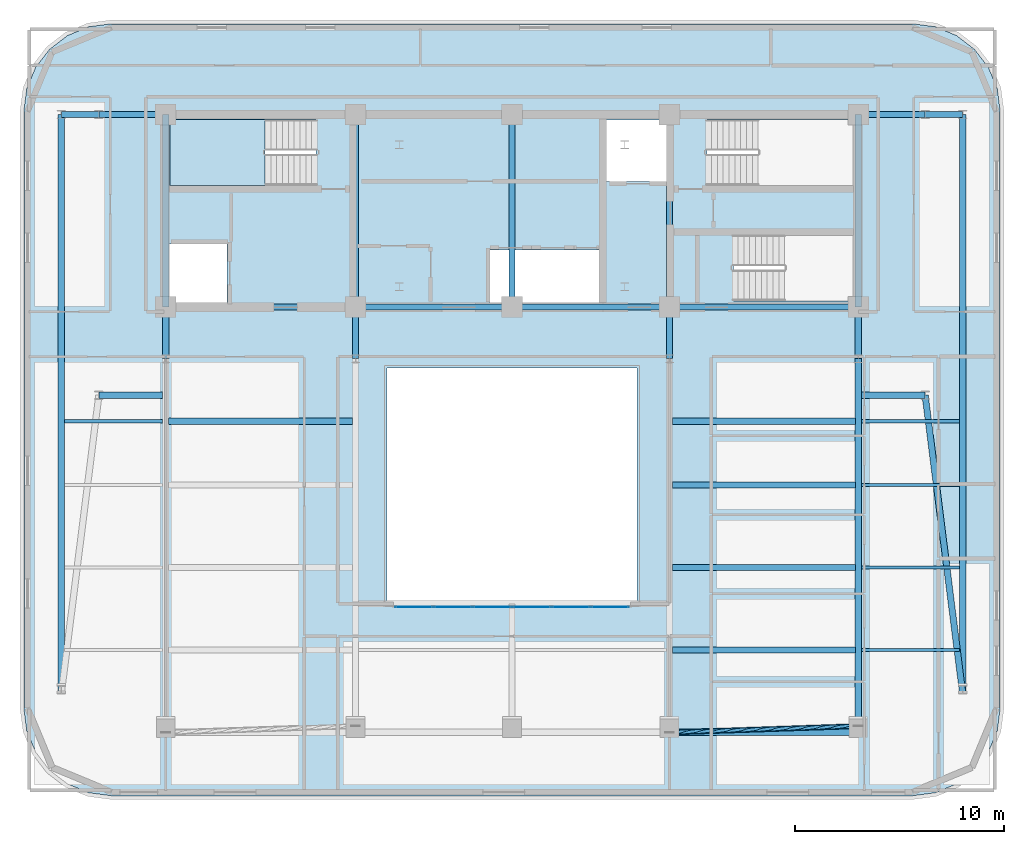
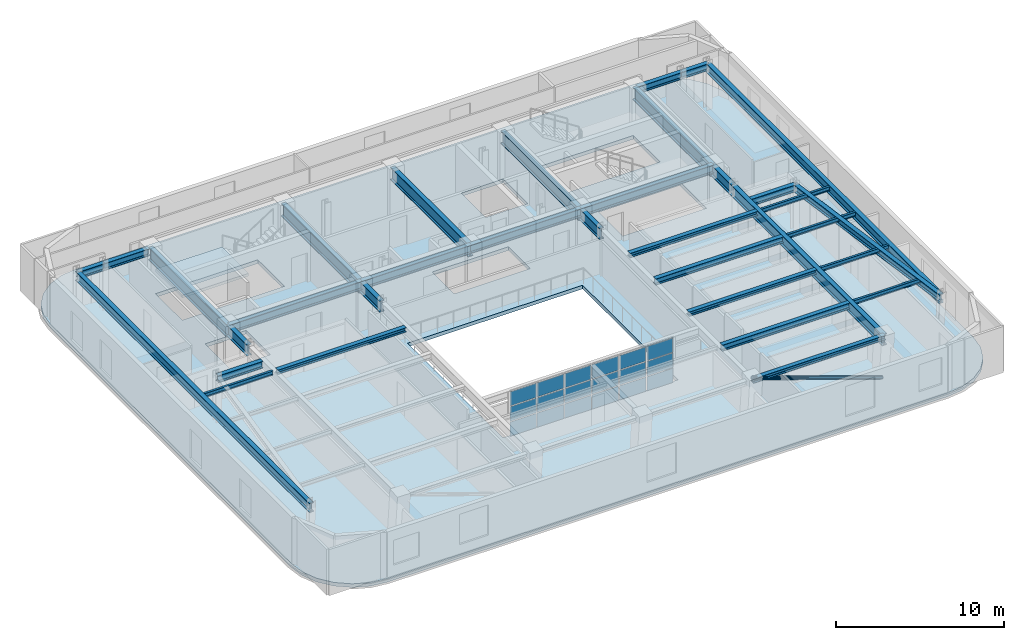
# One storey, part 3 of 13: 34 beams, 18 plates, 2 slabs, 1 member, 2 elements without a shape of their own.
"""IFC4 building model written with IfcOpenShell, lengths in metres."""

import ifcopenshell
import ifcopenshell.guid

model = None  # the IFC model being written
_history = None  # IfcOwnerHistory: only IFC2X3 demands one
_inside = {}  # id of a spatial element -> (the spatial element, [elements in it])
_under = {}  # id of a project, library or spatial element -> (it, [spatial elements below it])
_declared = {}  # id of a project -> (the project, [libraries it declares])
_typed = {}  # id of a type object -> (the type object, [elements of that type])
_made_of = {}  # id of a material, layer set ... -> (it, [elements and type objects made of it])


def new_model(schema):
    """Start an empty IFC model of exactly this schema.

    Asked for "IFC4X3", IfcOpenShell would pick the latest addendum, in which some entities
    have other attributes; the version numbers below select the first issue.
    IFC2X3 requires an IfcOwnerHistory on every rooted entity: one is made here for all.
    """
    global model, _history
    if schema == "IFC4X3":
        model = ifcopenshell.file(schema_version=(4, 3, 0, 0))
    else:
        model = ifcopenshell.file(schema=schema)
    _inside.clear()
    _under.clear()
    _declared.clear()
    _typed.clear()
    _made_of.clear()
    _history = None
    if model.schema == "IFC2X3":
        org = make("IfcOrganization", Name="unknown")
        user = make(
            "IfcPersonAndOrganization",
            ThePerson=make("IfcPerson", FamilyName="unknown"),
            TheOrganization=org,
        )
        app = make(
            "IfcApplication",
            ApplicationDeveloper=org,
            Version="unknown",
            ApplicationFullName="unknown",
            ApplicationIdentifier="unknown",
        )
        _history = make(
            "IfcOwnerHistory",
            OwningUser=user,
            OwningApplication=app,
            ChangeAction="ADDED",
            CreationDate=0,
        )
    return model


def make(cls, **values):
    """One entity of the class cls with the attributes given. An attribute that is None is left unset."""
    return model.create_entity(
        cls, **{name: value for name, value in values.items() if value is not None}
    )


def rooted(cls, **values):
    """An entity with a GlobalId (a new one), such as an element, a storey or a relation."""
    return make(cls, GlobalId=ifcopenshell.guid.new(), OwnerHistory=_history, **values)


def si_unit(unit_type, name, prefix=None):
    """IfcSIUnit, for example si_unit("LENGTHUNIT", "METRE", prefix="MILLI")."""
    return make("IfcSIUnit", UnitType=unit_type, Prefix=prefix, Name=name)


def assignment(units):
    """IfcUnitAssignment: the units of a project."""
    return None if units is None else make("IfcUnitAssignment", Units=units)


def point(xyz):
    """IfcCartesianPoint."""
    return None if xyz is None else make("IfcCartesianPoint", Coordinates=xyz)


def direction(xyz):
    """IfcDirection."""
    return None if xyz is None else make("IfcDirection", DirectionRatios=xyz)


def frame(location, z_axis=None, x_axis=None):
    """IfcAxis2Placement3D, a coordinate frame: its origin and axes. An axis left out is left unset."""
    return make(
        "IfcAxis2Placement3D",
        Location=point(location),
        Axis=direction(z_axis),
        RefDirection=direction(x_axis),
    )


def frame_2d(location, x_axis=None):
    """IfcAxis2Placement2D, a coordinate frame in the plane: its origin and x axis."""
    return make(
        "IfcAxis2Placement2D", Location=point(location), RefDirection=direction(x_axis)
    )


def origin():
    """The frame at (0, 0, 0) with its axes left unset."""
    return frame((0.0, 0.0, 0.0))


def origin_2d():
    """The frame at (0, 0) in the plane with its x axis left unset."""
    return frame_2d((0.0, 0.0))


def place(relative_to, where):
    """IfcLocalPlacement: puts the frame where relative to a parent placement (None: the world)."""
    return make(
        "IfcLocalPlacement", PlacementRelTo=relative_to, RelativePlacement=where
    )


def context(
    kind, dimensions, precision=None, world=None, true_north=None, identifier=None
):
    """IfcGeometricRepresentationContext, for example the 3D "Model" context."""
    return make(
        "IfcGeometricRepresentationContext",
        ContextIdentifier=identifier,
        ContextType=kind,
        CoordinateSpaceDimension=dimensions,
        Precision=precision,
        WorldCoordinateSystem=world,
        TrueNorth=true_north,
    )


def subcontext(parent, identifier, kind, view, scale=None):
    """IfcGeometricRepresentationSubContext, for example "Body" below "Model"."""
    return make(
        "IfcGeometricRepresentationSubContext",
        ContextIdentifier=identifier,
        ContextType=kind,
        ParentContext=parent,
        TargetScale=scale,
        TargetView=view,
    )


def project(units=None, contexts=None):
    """IfcProject with its units and contexts."""
    return rooted(
        "IfcProject",
        Name="project",
        RepresentationContexts=contexts,
        UnitsInContext=assignment(units),
    )


def spatial(cls, under=None, at=None, **own):
    """A site, building, storey or space (cls), placed at a placement, below another one or the project."""
    s = rooted(cls, ObjectPlacement=at, **own)
    if under is not None:
        _under.setdefault(under.id(), (under, []))[1].append(s)
    return s


def polyline(points):
    """IfcPolyline through the points."""
    return make("IfcPolyline", Points=[point(p) for p in points])


def profile(cls, at=None, kind="AREA", **sizes):
    """A parametric profile (cls). Its sizes go by their IFC names, for example OverallWidth=200.0."""
    return make(cls, ProfileType=kind, Position=at, **sizes)


def rectangle(**sizes):
    """IfcRectangleProfileDef."""
    return profile("IfcRectangleProfileDef", **sizes)


def hollow_circle(**sizes):
    """IfcCircleHollowProfileDef."""
    return profile("IfcCircleHollowProfileDef", **sizes)


def i_section(**sizes):
    """IfcIShapeProfileDef."""
    return profile("IfcIShapeProfileDef", **sizes)


def outline(outer, holes=None, kind="AREA"):
    """IfcArbitraryClosedProfileDef: a profile drawn as a closed curve; with holes, ...WithVoids."""
    if holes is None:
        return make("IfcArbitraryClosedProfileDef", ProfileType=kind, OuterCurve=outer)
    return make(
        "IfcArbitraryProfileDefWithVoids",
        ProfileType=kind,
        OuterCurve=outer,
        InnerCurves=holes,
    )


def extrude(swept, where, along, depth):
    """IfcExtrudedAreaSolid: the profile swept, set in the frame where, extruded along a direction by depth."""
    return make(
        "IfcExtrudedAreaSolid",
        SweptArea=swept,
        Position=where,
        ExtrudedDirection=direction(along),
        Depth=depth,
    )


def shape(context_of_items, identifier, shape_type, items):
    """IfcShapeRepresentation: the items that make up one representation, for example the "Body"."""
    return make(
        "IfcShapeRepresentation",
        ContextOfItems=context_of_items,
        RepresentationIdentifier=identifier,
        RepresentationType=shape_type,
        Items=items,
    )


def material(Name=None, Category=None):
    """IfcMaterial."""
    return make("IfcMaterial", Name=Name, Category=Category)


def layer(
    of_material, thickness, ventilated=None, Name=None, Category=None, Priority=None
):
    """IfcMaterialLayer: one layer of a wall or slab, of a material (None: an air gap)."""
    return make(
        "IfcMaterialLayer",
        Material=of_material,
        LayerThickness=thickness,
        IsVentilated=ventilated,
        Name=Name,
        Category=Category,
        Priority=Priority,
    )


def layer_set(layers, Name=None):
    """IfcMaterialLayerSet."""
    return make("IfcMaterialLayerSet", MaterialLayers=layers, LayerSetName=Name)


def material_profile(
    of_material, cross_section, Name=None, Category=None, Priority=None
):
    """IfcMaterialProfile: a cross section and its material."""
    return make(
        "IfcMaterialProfile",
        Name=Name,
        Material=of_material,
        Profile=cross_section,
        Priority=Priority,
        Category=Category,
    )


def profile_set(profiles, Name=None, composite=None):
    """IfcMaterialProfileSet."""
    return make(
        "IfcMaterialProfileSet",
        Name=Name,
        MaterialProfiles=profiles,
        CompositeProfile=composite,
    )


def made_of(thing, what):
    """Note that an element or type object is made of a material, layer set ...; save() writes the relation."""
    if what is not None:
        _made_of.setdefault(what.id(), (what, []))[1].append(thing)
    return thing


def type_object(cls, material=None, **own):
    """A type object (cls), such as IfcWallType, which elements share."""
    return made_of(rooted(cls, **own), material)


def element(
    cls,
    number,
    at=None,
    inside=None,
    cuts=None,
    type_object=None,
    material=None,
    context=None,
    identifier="Body",
    shape_type=None,
    held_by="IfcProductDefinitionShape",
    body=None,
    shapes=None,
    **own,
):
    """One element of the class cls, such as IfcWall. Its Tag is "e" and its number.

    at: its placement. inside: the storey or other place that contains it. cuts: it is an
    opening in that element (IfcRelVoidsElement). A single representation is given by context,
    identifier, shape_type and body (its items); several are given by shapes. held_by: the class
    of the entity that holds the representations. save() writes the other relations.
    """
    e = rooted(cls, Tag="e%d" % number, ObjectPlacement=at, **own)
    if body is not None:
        shapes = [shape(context, identifier, shape_type, body)]
    if shapes is not None:
        e.Representation = make(held_by, Representations=shapes)
    if inside is not None:
        _inside.setdefault(inside.id(), (inside, []))[1].append(e)
    if cuts is not None:
        rooted(
            "IfcRelVoidsElement", RelatingBuildingElement=cuts, RelatedOpeningElement=e
        )
    if type_object is not None:
        _typed.setdefault(type_object.id(), (type_object, []))[1].append(e)
    return made_of(e, material)


def aggregate(whole, parts):
    """IfcRelAggregates: a whole, such as a stair, and the parts it consists of."""
    return rooted("IfcRelAggregates", RelatingObject=whole, RelatedObjects=parts)


def save(model, path):
    """Write the relations noted so far, then the file.

    IfcRelAggregates (storeys below a building ...), IfcRelContainedInSpatialStructure (elements
    in a storey), IfcRelDefinesByType, IfcRelAssociatesMaterial and IfcRelDeclares: one each for
    every whole, place, type object, material and project.
    """
    for whole, parts in _under.values():
        aggregate(whole, parts)
    for where, things in _inside.values():
        rooted(
            "IfcRelContainedInSpatialStructure",
            RelatedElements=things,
            RelatingStructure=where,
        )
    for kind, things in _typed.values():
        rooted("IfcRelDefinesByType", RelatedObjects=things, RelatingType=kind)
    for what, things in _made_of.values():
        rooted("IfcRelAssociatesMaterial", RelatedObjects=things, RelatingMaterial=what)
    for by, libraries in _declared.values():
        rooted("IfcRelDeclares", RelatingContext=by, RelatedDefinitions=libraries)
    model.write(path)


model = new_model("IFC4")

# Units and contexts
model_context = context("Model", 3, precision=1e-05, world=origin(), true_north=direction((0.0, 1.0)))
body_context = subcontext(model_context, "Body", "Model", "MODEL_VIEW")
ifc_project = project(units=[si_unit("LENGTHUNIT", "METRE"), si_unit("AREAUNIT", "SQUARE_METRE"), si_unit("VOLUMEUNIT", "CUBIC_METRE"), si_unit("PLANEANGLEUNIT", "RADIAN"), si_unit("MASSUNIT", "GRAM", prefix="KILO")], contexts=[model_context])

# Site, building, storey
site_placement = place(None, origin())
site = spatial("IfcSite", under=ifc_project, at=site_placement, CompositionType="ELEMENT")
building_placement = place(site_placement, origin())
building = spatial("IfcBuilding", under=site, at=building_placement, Name="Zarnavel Station Tower", CompositionType="ELEMENT")
storey_placement = place(building_placement, frame((0.0, 0.0, 204.0)))
storey = spatial("IfcBuildingStorey", under=building, at=storey_placement, Name="L55", CompositionType="ELEMENT", Elevation=204.0)

# Member
ifc_material_1 = material(Name="Steel S355J2", Category="steel")
ifc_material_profile_1 = material_profile(ifc_material_1, hollow_circle(Radius=0.122314453125, WallThickness=0.010009765625, at=origin_2d()), Name="CHS244.5x10")
ifc_profile_set_1 = profile_set([ifc_material_profile_1], Name="Steel S355J2")
member_type = type_object("IfcMemberType", Name="DB_EXT_CHS245", PredefinedType="BRACE", material=ifc_profile_set_1)
member_placement = place(storey_placement, frame((45.39990234375, 7.741455078125, 0.0), z_axis=(-0.937681259663, -0.031367345473, 0.3460779463), x_axis=(0.033433332735, -0.999440949863, 0.0)))
element("IfcMember", 1, at=member_placement, inside=storey, type_object=member_type, Name="L55 Persian Exterior Diagonal Frame Brace 2", PredefinedType="BRACE", context=body_context, shape_type="SweptSolid", body=[
    extrude(hollow_circle(Radius=0.122314453125, WallThickness=0.010009765625, at=origin_2d()), origin(), (0.0, 0.0, 1.0), 9.6513671875),
])

# Beams
ifc_material_2 = material(Name="Steel S355J2", Category="steel")
ifc_material_profile_2 = material_profile(ifc_material_2, i_section(OverallWidth=0.300048828125, OverallDepth=0.320068359375, WebThickness=0.011474609375, FlangeThickness=0.0205078125, FilletRadius=0.027099609375, at=origin_2d()), Name="HEB320")
ifc_profile_set_2 = profile_set([ifc_material_profile_2], Name="Steel S355J2")
beam_type_1 = type_object("IfcBeamType", Name="EB_HEB320", PredefinedType="SPANDREL", material=ifc_profile_set_2)
beam_1_placement = place(storey_placement, frame((36.35009765625, 7.438720703125, 3.179931640625), z_axis=(1.0, 0.0, 0.0), x_axis=(0.0, 1.0, 0.0)))
element("IfcBeam", 2, at=beam_1_placement, inside=storey, type_object=beam_type_1, Name="L55 South Raked Spandrel 4", PredefinedType="SPANDREL", context=body_context, shape_type="SweptSolid", body=[
    extrude(i_section(OverallWidth=0.300048828125, OverallDepth=0.320068359375, WebThickness=0.011474609375, FlangeThickness=0.0205078125, FilletRadius=0.027099609375, at=origin_2d()), origin(), (0.0, 0.0, 1.0), 9.0498046875),
])
ifc_material_3 = material(Name="Steel S355J2", Category="steel")
ifc_material_profile_3 = material_profile(ifc_material_3, i_section(OverallWidth=0.300048828125, OverallDepth=0.31005859375, WebThickness=0.009033203125, FlangeThickness=0.015380859375, FilletRadius=0.027099609375, at=origin_2d()), Name="HEA320")
ifc_profile_set_3 = profile_set([ifc_material_profile_3], Name="Steel S355J2")
beam_type_2 = type_object("IfcBeamType", Name="FB_HEA320", PredefinedType="BEAM", material=ifc_profile_set_3)
beam_2_placement = place(storey_placement, frame((36.4951171875, 15.34326171875, 3.18505859375), z_axis=(1.0, 0.0, 0.0), x_axis=(0.0, 1.0, 0.0)))
element("IfcBeam", 3, at=beam_2_placement, inside=storey, type_object=beam_type_2, Name="L55 East Bay Beam 2", PredefinedType="BEAM", context=body_context, shape_type="SweptSolid", body=[
    extrude(i_section(OverallWidth=0.300048828125, OverallDepth=0.31005859375, WebThickness=0.009033203125, FlangeThickness=0.015380859375, FilletRadius=0.027099609375, at=origin_2d()), origin(), (0.0, 0.0, 1.0), 8.759765625),
])
beam_3_placement = place(storey_placement, frame((12.344970703125, 22.347900390625, 3.18505859375), z_axis=(1.0, 0.0, 0.0), x_axis=(0.0, 1.0, 0.0)))
element("IfcBeam", 4, at=beam_3_placement, inside=storey, type_object=beam_type_2, Name="L55 West Bay Beam 4", PredefinedType="BEAM", context=body_context, shape_type="SweptSolid", body=[
    extrude(i_section(OverallWidth=0.300048828125, OverallDepth=0.31005859375, WebThickness=0.009033203125, FlangeThickness=0.015380859375, FilletRadius=0.027099609375, at=origin_2d()), origin(), (0.0, 0.0, 1.0), 8.81005859375),
])
beam_4_placement = place(storey_placement, frame((36.4951171875, 22.347900390625, 3.18505859375), z_axis=(1.0, 0.0, 0.0), x_axis=(0.0, 1.0, 0.0)))
element("IfcBeam", 5, at=beam_4_placement, inside=storey, type_object=beam_type_2, Name="L55 East Bay Beam 4", PredefinedType="BEAM", context=body_context, shape_type="SweptSolid", body=[
    extrude(i_section(OverallWidth=0.300048828125, OverallDepth=0.31005859375, WebThickness=0.009033203125, FlangeThickness=0.015380859375, FilletRadius=0.027099609375, at=origin_2d()), origin(), (0.0, 0.0, 1.0), 8.759765625),
])
ifc_material_4 = material(Name="Steel S355J2", Category="steel")
ifc_material_profile_4 = material_profile(ifc_material_4, i_section(OverallWidth=0.300048828125, OverallDepth=0.43994140625, WebThickness=0.011474609375, FlangeThickness=0.02099609375, FilletRadius=0.027099609375, at=origin_2d()), Name="HEA450")
ifc_profile_set_4 = profile_set([ifc_material_profile_4], Name="Steel S355J2")
beam_type_3 = type_object("IfcBeamType", Name="FB_HEA450", PredefinedType="BEAM", material=ifc_profile_set_4)
for number, where, z_axis, x_axis, name in (
    (6, (36.4951171875, 11.39111328125, 3.1201171875), (1.0, 0.0, 0.0), (0.0, 1.0, 0.0), "L55 East Bay Beam 1"),
    (7, (36.4951171875, 19.29541015625, 3.1201171875), (1.0, 0.0, 0.0), (0.0, 1.0, 0.0), "L55 East Bay Beam 3"),
):
    element("IfcBeam", number, at=place(storey_placement, frame(where, z_axis=z_axis, x_axis=x_axis)), inside=storey, type_object=beam_type_3, Name=name, PredefinedType="BEAM", context=body_context, shape_type="SweptSolid", body=[
        extrude(i_section(OverallWidth=0.300048828125, OverallDepth=0.43994140625, WebThickness=0.011474609375, FlangeThickness=0.02099609375, FilletRadius=0.027099609375, at=origin_2d()), origin(), (0.0, 0.0, 1.0), 8.759765625),
    ])
ifc_material_5 = material(Name="Steel S355J2", Category="steel")
ifc_material_profile_5 = material_profile(ifc_material_5, i_section(OverallWidth=0.300048828125, OverallDepth=0.5, WebThickness=0.014404296875, FlangeThickness=0.028076171875, FilletRadius=0.027099609375, at=origin_2d()), Name="HEB500")
ifc_profile_set_5 = profile_set([ifc_material_profile_5], Name="Steel S355J2")
beam_type_4 = type_object("IfcBeamType", Name="FG_HEB500", PredefinedType="USERDEFINED", material=ifc_profile_set_5)
beam_5_placement = place(storey_placement, frame((7.199951171875, 37.050048828125, 3.090087890625), z_axis=(1.0, 0.0, 0.0), x_axis=(0.0, 1.0, 0.0)))
element("IfcBeam", 8, at=beam_5_placement, inside=storey, type_object=beam_type_4, Name="L55 West Wing North Tie 1", ObjectType="GIRDER", PredefinedType="USERDEFINED", context=body_context, shape_type="SweptSolid", body=[
    extrude(i_section(OverallWidth=0.300048828125, OverallDepth=0.5, WebThickness=0.014404296875, FlangeThickness=0.028076171875, FilletRadius=0.027099609375, at=origin_2d()), origin(), (0.0, 0.0, 1.0), 1.800048828125),
])
for number, where, z_axis, x_axis, name in (
    (9, (9.0, 23.60009765625, 3.090087890625), (1.0, 0.0, 0.0), (0.0, 1.0, 0.0), "L55 West Wing South Tie 2"),
    (10, (9.0, 37.050048828125, 3.090087890625), (1.0, 0.0, 0.0), (0.0, 1.0, 0.0), "L55 West Wing North Tie 2"),
):
    element("IfcBeam", number, at=place(storey_placement, frame(where, z_axis=z_axis, x_axis=x_axis)), inside=storey, type_object=beam_type_4, Name=name, ObjectType="GIRDER", PredefinedType="USERDEFINED", context=body_context, shape_type="SweptSolid", body=[
        extrude(i_section(OverallWidth=0.300048828125, OverallDepth=0.5, WebThickness=0.014404296875, FlangeThickness=0.028076171875, FilletRadius=0.027099609375, at=origin_2d()), origin(), (0.0, 0.0, 1.0), 3.054931640625),
    ])
for number, where, z_axis, x_axis, name in (
    (11, (45.544921875, 23.60009765625, 3.090087890625), (1.0, 0.0, 0.0), (0.0, 1.0, 0.0), "L55 East Wing South Tie 1"),
    (12, (45.544921875, 37.050048828125, 3.090087890625), (1.0, 0.0, 0.0), (0.0, 1.0, 0.0), "L55 East Wing North Tie 1"),
):
    element("IfcBeam", number, at=place(storey_placement, frame(where, z_axis=z_axis, x_axis=x_axis)), inside=storey, type_object=beam_type_4, Name=name, ObjectType="GIRDER", PredefinedType="USERDEFINED", context=body_context, shape_type="SweptSolid", body=[
        extrude(i_section(OverallWidth=0.300048828125, OverallDepth=0.5, WebThickness=0.014404296875, FlangeThickness=0.028076171875, FilletRadius=0.027099609375, at=origin_2d()), origin(), (0.0, 0.0, 1.0), 3.05517578125),
    ])
beam_6_placement = place(storey_placement, frame((48.60009765625, 23.60009765625, 3.090087890625), z_axis=(0.124927357867, -0.992165890996, 0.0), x_axis=(0.992165890996, 0.124927357867, 0.0)))
element("IfcBeam", 13, at=beam_6_placement, inside=storey, type_object=beam_type_4, Name="L55 East Wing South Tie 2", ObjectType="GIRDER", PredefinedType="USERDEFINED", context=body_context, shape_type="SweptSolid", body=[
    extrude(i_section(OverallWidth=0.300048828125, OverallDepth=0.5, WebThickness=0.014404296875, FlangeThickness=0.028076171875, FilletRadius=0.027099609375, at=origin_2d()), origin(), (0.0, 0.0, 1.0), 14.40673828125),
])
beam_7_placement = place(storey_placement, frame((48.60009765625, 37.050048828125, 3.090087890625), z_axis=(1.0, 0.0, 0.0), x_axis=(0.0, 1.0, 0.0)))
element("IfcBeam", 14, at=beam_7_placement, inside=storey, type_object=beam_type_4, Name="L55 East Wing North Tie 2", ObjectType="GIRDER", PredefinedType="USERDEFINED", context=body_context, shape_type="SweptSolid", body=[
    extrude(i_section(OverallWidth=0.300048828125, OverallDepth=0.5, WebThickness=0.014404296875, FlangeThickness=0.028076171875, FilletRadius=0.027099609375, at=origin_2d()), origin(), (0.0, 0.0, 1.0), 1.7998046875),
])
ifc_material_6 = material(Name="Steel S355J2", Category="steel")
ifc_material_profile_6 = material_profile(ifc_material_6, i_section(OverallWidth=0.300048828125, OverallDepth=0.60009765625, WebThickness=0.015380859375, FlangeThickness=0.030029296875, FilletRadius=0.027099609375, at=origin_2d()), Name="HEB600")
ifc_profile_set_6 = profile_set([ifc_material_profile_6], Name="Steel S355J2")
beam_type_5 = type_object("IfcBeamType", Name="FG_HEB600", PredefinedType="USERDEFINED", material=ifc_profile_set_6)
beam_8_placement = place(storey_placement, frame((12.199951171875, 27.820068359375, 3.0400390625), z_axis=(1.0, 0.0, 0.0), x_axis=(0.0, 1.0, 0.0)))
element("IfcBeam", 15, at=beam_8_placement, inside=storey, type_object=beam_type_5, Name="L55 Core Front Coupling Beam 1", ObjectType="GIRDER", PredefinedType="USERDEFINED", context=body_context, shape_type="SweptSolid", body=[
    extrude(i_section(OverallWidth=0.300048828125, OverallDepth=0.60009765625, WebThickness=0.015380859375, FlangeThickness=0.030029296875, FilletRadius=0.027099609375, at=origin_2d()), origin(), (0.0, 0.0, 1.0), 9.10009765625),
])
beam_9_placement = place(storey_placement, frame((21.300048828125, 27.820068359375, 3.0400390625), z_axis=(1.0, 0.0, 0.0), x_axis=(0.0, 1.0, 0.0)))
element("IfcBeam", 16, at=beam_9_placement, inside=storey, type_object=beam_type_5, Name="L55 Core Front Coupling Beam 2", ObjectType="GIRDER", PredefinedType="USERDEFINED", context=body_context, shape_type="SweptSolid", body=[
    extrude(i_section(OverallWidth=0.300048828125, OverallDepth=0.60009765625, WebThickness=0.015380859375, FlangeThickness=0.030029296875, FilletRadius=0.027099609375, at=origin_2d()), origin(), (0.0, 0.0, 1.0), 7.5),
])
beam_10_placement = place(storey_placement, frame((28.800048828125, 27.820068359375, 3.0400390625), z_axis=(1.0, 0.0, 0.0), x_axis=(0.0, 1.0, 0.0)))
element("IfcBeam", 17, at=beam_10_placement, inside=storey, type_object=beam_type_5, Name="L55 Core Front Coupling Beam 3", ObjectType="GIRDER", PredefinedType="USERDEFINED", context=body_context, shape_type="SweptSolid", body=[
    extrude(i_section(OverallWidth=0.300048828125, OverallDepth=0.60009765625, WebThickness=0.015380859375, FlangeThickness=0.030029296875, FilletRadius=0.027099609375, at=origin_2d()), origin(), (0.0, 0.0, 1.0), 7.550048828125),
])
beam_11_placement = place(storey_placement, frame((36.35009765625, 27.820068359375, 3.0400390625), z_axis=(1.0, 0.0, 0.0), x_axis=(0.0, 1.0, 0.0)))
element("IfcBeam", 18, at=beam_11_placement, inside=storey, type_object=beam_type_5, Name="L55 Core Front Coupling Beam 4", ObjectType="GIRDER", PredefinedType="USERDEFINED", context=body_context, shape_type="SweptSolid", body=[
    extrude(i_section(OverallWidth=0.300048828125, OverallDepth=0.60009765625, WebThickness=0.015380859375, FlangeThickness=0.030029296875, FilletRadius=0.027099609375, at=origin_2d()), origin(), (0.0, 0.0, 1.0), 9.0498046875),
])
ifc_material_7 = material(Name="Steel S355J2", Category="steel")
ifc_material_profile_7 = material_profile(ifc_material_7, i_section(OverallWidth=0.300048828125, OverallDepth=0.64990234375, WebThickness=0.01611328125, FlangeThickness=0.031005859375, FilletRadius=0.027099609375, at=origin_2d()), Name="HEB650")
ifc_profile_set_7 = profile_set([ifc_material_profile_7], Name="Steel S355J2")
beam_type_6 = type_object("IfcBeamType", Name="FG_HEB650", PredefinedType="USERDEFINED", material=ifc_profile_set_7)
for number, where, z_axis, x_axis, name in (
    (19, (7.199951171875, 9.30615234375, 3.014892578125), (0.0, 1.0, 0.0), (-1.0, 0.0, 0.0), "L55 Wing NS Girder 1"),
    (20, (50.39990234375, 9.30615234375, 3.014892578125), (0.0, 1.0, 0.0), (-1.0, 0.0, 0.0), "L55 Wing NS Girder 2"),
):
    element("IfcBeam", number, at=place(storey_placement, frame(where, z_axis=z_axis, x_axis=x_axis)), inside=storey, type_object=beam_type_6, Name=name, ObjectType="GIRDER", PredefinedType="USERDEFINED", context=body_context, shape_type="SweptSolid", body=[
        extrude(i_section(OverallWidth=0.300048828125, OverallDepth=0.64990234375, WebThickness=0.01611328125, FlangeThickness=0.031005859375, FilletRadius=0.027099609375, at=origin_2d()), origin(), (0.0, 0.0, 1.0), 27.743896484375),
    ])
ifc_material_8 = material(Name="Steel S355J2", Category="steel")
ifc_material_profile_8 = material_profile(ifc_material_8, i_section(OverallWidth=0.300048828125, OverallDepth=0.800048828125, WebThickness=0.017578125, FlangeThickness=0.032958984375, FilletRadius=0.030029296875, at=origin_2d()), Name="HEB800")
ifc_profile_set_8 = profile_set([ifc_material_profile_8], Name="Steel S355J2")
beam_type_7 = type_object("IfcBeamType", Name="FG_HEB800", PredefinedType="USERDEFINED", material=ifc_profile_set_8)
for number, where, z_axis, x_axis, name in (
    (21, (12.199951171875, 25.35009765625, 2.93994140625), (0.0, 1.0, 0.0), (-1.0, 0.0, 0.0), "L55 Inner-Zone NS Girder 1"),
    (22, (21.300048828125, 25.35009765625, 2.93994140625), (0.0, 1.0, 0.0), (-1.0, 0.0, 0.0), "L55 Inner-Zone NS Girder 2"),
    (23, (36.35009765625, 25.35009765625, 2.93994140625), (0.0, 1.0, 0.0), (-1.0, 0.0, 0.0), "L55 Inner-Zone NS Girder 4"),
):
    element("IfcBeam", number, at=place(storey_placement, frame(where, z_axis=z_axis, x_axis=x_axis)), inside=storey, type_object=beam_type_7, Name=name, ObjectType="GIRDER", PredefinedType="USERDEFINED", context=body_context, shape_type="SweptSolid", body=[
        extrude(i_section(OverallWidth=0.300048828125, OverallDepth=0.800048828125, WebThickness=0.017578125, FlangeThickness=0.032958984375, FilletRadius=0.030029296875, at=origin_2d()), origin(), (0.0, 0.0, 1.0), 2.469970703125),
    ])
beam_12_placement = place(storey_placement, frame((45.39990234375, 7.438720703125, 2.93994140625), z_axis=(0.0, 1.0, 0.0), x_axis=(-1.0, 0.0, 0.0)))
element("IfcBeam", 24, at=beam_12_placement, inside=storey, type_object=beam_type_7, Name="L55 South-Zone NS Girder 5", ObjectType="GIRDER", PredefinedType="USERDEFINED", context=body_context, shape_type="SweptSolid", body=[
    extrude(i_section(OverallWidth=0.300048828125, OverallDepth=0.800048828125, WebThickness=0.017578125, FlangeThickness=0.032958984375, FilletRadius=0.030029296875, at=origin_2d()), origin(), (0.0, 0.0, 1.0), 17.911376953125),
])
beam_13_placement = place(storey_placement, frame((45.39990234375, 25.35009765625, 2.93994140625), z_axis=(0.0, 1.0, 0.0), x_axis=(-1.0, 0.0, 0.0)))
element("IfcBeam", 25, at=beam_13_placement, inside=storey, type_object=beam_type_7, Name="L55 Inner-Zone NS Girder 5", ObjectType="GIRDER", PredefinedType="USERDEFINED", context=body_context, shape_type="SweptSolid", body=[
    extrude(i_section(OverallWidth=0.300048828125, OverallDepth=0.800048828125, WebThickness=0.017578125, FlangeThickness=0.032958984375, FilletRadius=0.030029296875, at=origin_2d()), origin(), (0.0, 0.0, 1.0), 2.469970703125),
])
ifc_material_9 = material(Name="Steel S355J2", Category="steel")
ifc_material_profile_9 = material_profile(ifc_material_9, i_section(OverallWidth=0.14990234375, OverallDepth=0.300048828125, WebThickness=0.007080078125, FlangeThickness=0.0107421875, FilletRadius=0.014892578125, at=origin_2d()), Name="IPE300")
ifc_profile_set_9 = profile_set([ifc_material_profile_9], Name="Steel S355J2")
beam_type_8 = type_object("IfcBeamType", Name="FJ_IPE300", PredefinedType="JOIST", material=ifc_profile_set_9)
for number, where, z_axis, x_axis, name in (
    (26, (45.544921875, 11.39111328125, 3.18994140625), (1.0, 0.0, 0.0), (0.0, 1.0, 0.0), "L55 East Wing Joist 1"),
    (27, (45.544921875, 15.34326171875, 3.18994140625), (1.0, 0.0, 0.0), (0.0, 1.0, 0.0), "L55 East Wing Joist 2"),
    (28, (45.544921875, 19.29541015625, 3.18994140625), (1.0, 0.0, 0.0), (0.0, 1.0, 0.0), "L55 East Wing Joist 3"),
    (29, (7.344970703125, 22.347900390625, 3.18994140625), (1.0, 0.0, 0.0), (0.0, 1.0, 0.0), "L55 West Wing Joist 4"),
    (30, (45.544921875, 22.347900390625, 3.18994140625), (1.0, 0.0, 0.0), (0.0, 1.0, 0.0), "L55 East Wing Joist 4"),
):
    element("IfcBeam", number, at=place(storey_placement, frame(where, z_axis=z_axis, x_axis=x_axis)), inside=storey, type_object=beam_type_8, Name=name, PredefinedType="JOIST", context=body_context, shape_type="SweptSolid", body=[
        extrude(i_section(OverallWidth=0.14990234375, OverallDepth=0.300048828125, WebThickness=0.007080078125, FlangeThickness=0.0107421875, FilletRadius=0.014892578125, at=origin_2d()), origin(), (0.0, 0.0, 1.0), 4.7099609375),
    ])
ifc_material_10 = material(Name="Steel S460M", Category="steel")
ifc_material_profile_10 = material_profile(ifc_material_10, i_section(OverallWidth=0.302001953125, OverallDepth=0.909912109375, WebThickness=0.02099609375, FlangeThickness=0.0400390625, FilletRadius=0.030029296875, at=origin_2d()), Name="HEM900")
ifc_profile_set_10 = profile_set([ifc_material_profile_10], Name="Steel S460M")
beam_type_9 = type_object("IfcBeamType", Name="TG_HEM900", PredefinedType="USERDEFINED", material=ifc_profile_set_10)
for number, where, z_axis, x_axis, name in (
    (31, (12.199951171875, 27.820068359375, 2.885009765625), (0.0, 1.0, 0.0), (-1.0, 0.0, 0.0), "L55 Core Spine Coupling Girder 1"),
    (32, (21.300048828125, 27.820068359375, 2.885009765625), (0.0, 1.0, 0.0), (-1.0, 0.0, 0.0), "L55 Core Spine Coupling Girder 2"),
    (33, (28.800048828125, 27.820068359375, 2.885009765625), (0.0, 1.0, 0.0), (-1.0, 0.0, 0.0), "L55 Core Spine Coupling Girder 3"),
    (34, (36.35009765625, 27.820068359375, 2.885009765625), (0.0, 1.0, 0.0), (-1.0, 0.0, 0.0), "L55 Core Spine Coupling Girder 4"),
    (35, (45.39990234375, 27.820068359375, 2.885009765625), (0.0, 1.0, 0.0), (-1.0, 0.0, 0.0), "L55 Core Spine Coupling Girder 5"),
):
    element("IfcBeam", number, at=place(storey_placement, frame(where, z_axis=z_axis, x_axis=x_axis)), inside=storey, type_object=beam_type_9, Name=name, ObjectType="GIRDER", PredefinedType="USERDEFINED", context=body_context, shape_type="SweptSolid", body=[
        extrude(i_section(OverallWidth=0.302001953125, OverallDepth=0.909912109375, WebThickness=0.02099609375, FlangeThickness=0.0400390625, FilletRadius=0.030029296875, at=origin_2d()), origin(), (0.0, 0.0, 1.0), 9.22998046875),
    ])

# Curtain wall, plates
ifc_material_11 = material(Name="Aluminium Dark Anodised and Solar-Control Glass", Category="aluminium")
ifc_layer_1 = layer(ifc_material_11, 0.179931640625)
ifc_layer_set_1 = layer_set([ifc_layer_1], Name="CWS5")
curtain_wall_type = type_object("IfcCurtainWallType", Name="CWS5", PredefinedType="NOTDEFINED", material=ifc_layer_set_1)
curtain_wall_placement = place(storey_placement, origin())
curtain_wall = element("IfcCurtainWall", 36, at=curtain_wall_placement, inside=storey, type_object=curtain_wall_type, Name="L55 Curtain Wall CWS5-L55-AS", PredefinedType="NOTDEFINED")
ifc_material_12 = material(Name="Double Low-E Dark Solar-Control Glass", Category="glass")
ifc_layer_2 = layer(ifc_material_12, 0.033935546875)
ifc_layer_set_2 = layer_set([ifc_layer_2], Name="CWS5_PNL")
plate_type = type_object("IfcPlateType", Name="CWS5_PNL", PredefinedType="CURTAIN_PANEL", material=ifc_layer_set_2)
plate_1_placement = place(storey_placement, frame((24.106689453125, 13.449951171875, 0.06005859375), z_axis=(0.0, 0.0, 1.0), x_axis=(1.0, 0.0, 0.0)))
plate_1 = element("IfcPlate", 37, at=plate_1_placement, type_object=plate_type, Name="CW5 panel 1.1", PredefinedType="CURTAIN_PANEL", context=body_context, shape_type="SweptSolid", body=[
    extrude(rectangle(XDim=1.793212890625, YDim=0.028076171875, at=origin_2d()), origin(), (0.0, 0.0, 1.0), 1.023193359375),
])
plate_2_placement = place(storey_placement, frame((24.106689453125, 13.449951171875, 1.14306640625), z_axis=(0.0, 0.0, 1.0), x_axis=(1.0, 0.0, 0.0)))
plate_2 = element("IfcPlate", 38, at=plate_2_placement, type_object=plate_type, Name="CW5 panel 1.2", PredefinedType="CURTAIN_PANEL", context=body_context, shape_type="SweptSolid", body=[
    extrude(rectangle(XDim=1.793212890625, YDim=0.028076171875, at=origin_2d()), origin(), (0.0, 0.0, 1.0), 1.053466796875),
])
plate_3_placement = place(storey_placement, frame((24.106689453125, 13.449951171875, 2.2568359375), z_axis=(0.0, 0.0, 1.0), x_axis=(1.0, 0.0, 0.0)))
plate_3 = element("IfcPlate", 39, at=plate_3_placement, type_object=plate_type, Name="CW5 panel 1.3", PredefinedType="CURTAIN_PANEL", context=body_context, shape_type="SweptSolid", body=[
    extrude(rectangle(XDim=1.793212890625, YDim=0.028076171875, at=origin_2d()), origin(), (0.0, 0.0, 1.0), 1.023193359375),
])
plate_4_placement = place(storey_placement, frame((25.97509765625, 13.449951171875, 0.06005859375), z_axis=(0.0, 0.0, 1.0), x_axis=(1.0, 0.0, 0.0)))
plate_4 = element("IfcPlate", 40, at=plate_4_placement, type_object=plate_type, Name="CW5 panel 2.1", PredefinedType="CURTAIN_PANEL", context=body_context, shape_type="SweptSolid", body=[
    extrude(rectangle(XDim=1.8232421875, YDim=0.028076171875, at=origin_2d()), origin(), (0.0, 0.0, 1.0), 1.023193359375),
])
plate_5_placement = place(storey_placement, frame((25.97509765625, 13.449951171875, 1.14306640625), z_axis=(0.0, 0.0, 1.0), x_axis=(1.0, 0.0, 0.0)))
plate_5 = element("IfcPlate", 41, at=plate_5_placement, type_object=plate_type, Name="CW5 panel 2.2", PredefinedType="CURTAIN_PANEL", context=body_context, shape_type="SweptSolid", body=[
    extrude(rectangle(XDim=1.8232421875, YDim=0.028076171875, at=origin_2d()), origin(), (0.0, 0.0, 1.0), 1.053466796875),
])
plate_6_placement = place(storey_placement, frame((25.97509765625, 13.449951171875, 2.2568359375), z_axis=(0.0, 0.0, 1.0), x_axis=(1.0, 0.0, 0.0)))
plate_6 = element("IfcPlate", 42, at=plate_6_placement, type_object=plate_type, Name="CW5 panel 2.3", PredefinedType="CURTAIN_PANEL", context=body_context, shape_type="SweptSolid", body=[
    extrude(rectangle(XDim=1.8232421875, YDim=0.028076171875, at=origin_2d()), origin(), (0.0, 0.0, 1.0), 1.023193359375),
])
plate_7_placement = place(storey_placement, frame((27.8583984375, 13.449951171875, 0.06005859375), z_axis=(0.0, 0.0, 1.0), x_axis=(1.0, 0.0, 0.0)))
plate_7 = element("IfcPlate", 43, at=plate_7_placement, type_object=plate_type, Name="CW5 panel 3.1", PredefinedType="CURTAIN_PANEL", context=body_context, shape_type="SweptSolid", body=[
    extrude(rectangle(XDim=1.8232421875, YDim=0.028076171875, at=origin_2d()), origin(), (0.0, 0.0, 1.0), 1.023193359375),
])
plate_8_placement = place(storey_placement, frame((27.8583984375, 13.449951171875, 1.14306640625), z_axis=(0.0, 0.0, 1.0), x_axis=(1.0, 0.0, 0.0)))
plate_8 = element("IfcPlate", 44, at=plate_8_placement, type_object=plate_type, Name="CW5 panel 3.2", PredefinedType="CURTAIN_PANEL", context=body_context, shape_type="SweptSolid", body=[
    extrude(rectangle(XDim=1.8232421875, YDim=0.028076171875, at=origin_2d()), origin(), (0.0, 0.0, 1.0), 1.053466796875),
])
plate_9_placement = place(storey_placement, frame((27.8583984375, 13.449951171875, 2.2568359375), z_axis=(0.0, 0.0, 1.0), x_axis=(1.0, 0.0, 0.0)))
plate_9 = element("IfcPlate", 45, at=plate_9_placement, type_object=plate_type, Name="CW5 panel 3.3", PredefinedType="CURTAIN_PANEL", context=body_context, shape_type="SweptSolid", body=[
    extrude(rectangle(XDim=1.8232421875, YDim=0.028076171875, at=origin_2d()), origin(), (0.0, 0.0, 1.0), 1.023193359375),
])
plate_10_placement = place(storey_placement, frame((29.74169921875, 13.449951171875, 0.06005859375), z_axis=(0.0, 0.0, 1.0), x_axis=(1.0, 0.0, 0.0)))
plate_10 = element("IfcPlate", 46, at=plate_10_placement, type_object=plate_type, Name="CW5 panel 4.1", PredefinedType="CURTAIN_PANEL", context=body_context, shape_type="SweptSolid", body=[
    extrude(rectangle(XDim=1.8232421875, YDim=0.028076171875, at=origin_2d()), origin(), (0.0, 0.0, 1.0), 1.023193359375),
])
plate_11_placement = place(storey_placement, frame((29.74169921875, 13.449951171875, 1.14306640625), z_axis=(0.0, 0.0, 1.0), x_axis=(1.0, 0.0, 0.0)))
plate_11 = element("IfcPlate", 47, at=plate_11_placement, type_object=plate_type, Name="CW5 panel 4.2", PredefinedType="CURTAIN_PANEL", context=body_context, shape_type="SweptSolid", body=[
    extrude(rectangle(XDim=1.8232421875, YDim=0.028076171875, at=origin_2d()), origin(), (0.0, 0.0, 1.0), 1.053466796875),
])
plate_12_placement = place(storey_placement, frame((29.74169921875, 13.449951171875, 2.2568359375), z_axis=(0.0, 0.0, 1.0), x_axis=(1.0, 0.0, 0.0)))
plate_12 = element("IfcPlate", 48, at=plate_12_placement, type_object=plate_type, Name="CW5 panel 4.3", PredefinedType="CURTAIN_PANEL", context=body_context, shape_type="SweptSolid", body=[
    extrude(rectangle(XDim=1.8232421875, YDim=0.028076171875, at=origin_2d()), origin(), (0.0, 0.0, 1.0), 1.023193359375),
])
plate_13_placement = place(storey_placement, frame((31.625, 13.449951171875, 0.06005859375), z_axis=(0.0, 0.0, 1.0), x_axis=(1.0, 0.0, 0.0)))
plate_13 = element("IfcPlate", 49, at=plate_13_placement, type_object=plate_type, Name="CW5 panel 5.1", PredefinedType="CURTAIN_PANEL", context=body_context, shape_type="SweptSolid", body=[
    extrude(rectangle(XDim=1.8232421875, YDim=0.028076171875, at=origin_2d()), origin(), (0.0, 0.0, 1.0), 1.023193359375),
])
plate_14_placement = place(storey_placement, frame((31.625, 13.449951171875, 1.14306640625), z_axis=(0.0, 0.0, 1.0), x_axis=(1.0, 0.0, 0.0)))
plate_14 = element("IfcPlate", 50, at=plate_14_placement, type_object=plate_type, Name="CW5 panel 5.2", PredefinedType="CURTAIN_PANEL", context=body_context, shape_type="SweptSolid", body=[
    extrude(rectangle(XDim=1.8232421875, YDim=0.028076171875, at=origin_2d()), origin(), (0.0, 0.0, 1.0), 1.053466796875),
])
plate_15_placement = place(storey_placement, frame((31.625, 13.449951171875, 2.2568359375), z_axis=(0.0, 0.0, 1.0), x_axis=(1.0, 0.0, 0.0)))
plate_15 = element("IfcPlate", 51, at=plate_15_placement, type_object=plate_type, Name="CW5 panel 5.3", PredefinedType="CURTAIN_PANEL", context=body_context, shape_type="SweptSolid", body=[
    extrude(rectangle(XDim=1.8232421875, YDim=0.028076171875, at=origin_2d()), origin(), (0.0, 0.0, 1.0), 1.023193359375),
])
plate_16_placement = place(storey_placement, frame((33.493408203125, 13.449951171875, 0.06005859375), z_axis=(0.0, 0.0, 1.0), x_axis=(1.0, 0.0, 0.0)))
plate_16 = element("IfcPlate", 52, at=plate_16_placement, type_object=plate_type, Name="CW5 panel 6.1", PredefinedType="CURTAIN_PANEL", context=body_context, shape_type="SweptSolid", body=[
    extrude(rectangle(XDim=1.793212890625, YDim=0.028076171875, at=origin_2d()), origin(), (0.0, 0.0, 1.0), 1.023193359375),
])
plate_17_placement = place(storey_placement, frame((33.493408203125, 13.449951171875, 1.14306640625), z_axis=(0.0, 0.0, 1.0), x_axis=(1.0, 0.0, 0.0)))
plate_17 = element("IfcPlate", 53, at=plate_17_placement, type_object=plate_type, Name="CW5 panel 6.2", PredefinedType="CURTAIN_PANEL", context=body_context, shape_type="SweptSolid", body=[
    extrude(rectangle(XDim=1.793212890625, YDim=0.028076171875, at=origin_2d()), origin(), (0.0, 0.0, 1.0), 1.053466796875),
])
plate_18_placement = place(storey_placement, frame((33.493408203125, 13.449951171875, 2.2568359375), z_axis=(0.0, 0.0, 1.0), x_axis=(1.0, 0.0, 0.0)))
plate_18 = element("IfcPlate", 54, at=plate_18_placement, type_object=plate_type, Name="CW5 panel 6.3", PredefinedType="CURTAIN_PANEL", context=body_context, shape_type="SweptSolid", body=[
    extrude(rectangle(XDim=1.793212890625, YDim=0.028076171875, at=origin_2d()), origin(), (0.0, 0.0, 1.0), 1.023193359375),
])
aggregate(curtain_wall, [plate_1, plate_2, plate_3, plate_4, plate_5, plate_6, plate_7, plate_8, plate_9, plate_10, plate_11, plate_12, plate_13, plate_14, plate_15, plate_16, plate_17, plate_18])

# Slab
ifc_material_13 = material(Name="Concrete C45/55", Category="concrete")
ifc_layer_3 = layer(ifc_material_13, 0.260009765625)
ifc_layer_set_3 = layer_set([ifc_layer_3], Name="SL_FLR_260")
slab_type_1 = type_object("IfcSlabType", Name="SL_FLR_260", PredefinedType="FLOOR", material=ifc_layer_set_3)
slab_1_placement = place(storey_placement, frame((0.0, 0.0, -0.260009765625)))
element("IfcSlab", 55, at=slab_1_placement, inside=storey, type_object=slab_type_1, Name="L55 Structural Floor Slab", PredefinedType="FLOOR", context=body_context, shape_type="SweptSolid", body=[
    extrude(outline(polyline([(48.0, 4.39990234375), (49.0869140625, 4.543212890625), (50.10009765625, 4.962646484375), (50.9697265625, 5.630126953125), (51.63720703125, 6.5), (52.056884765625, 7.512939453125), (52.199951171875, 8.60009765625), (52.199951171875, 37.199951171875), (52.056884765625, 38.287109375), (51.63720703125, 39.300048828125), (50.9697265625, 40.169921875), (50.10009765625, 40.83740234375), (49.0869140625, 41.2568359375), (48.0, 41.39990234375), (9.60009765625, 41.39990234375), (8.512939453125, 41.2568359375), (7.5, 40.83740234375), (6.630126953125, 40.169921875), (5.962646484375, 39.300048828125), (5.543212890625, 38.287109375), (5.39990234375, 37.199951171875), (5.39990234375, 8.60009765625), (5.543212890625, 7.512939453125), (5.962646484375, 6.5), (6.630126953125, 5.630126953125), (7.5, 4.962646484375), (8.512939453125, 4.543212890625), (9.60009765625, 4.39990234375), (48.0, 4.39990234375)]), holes=[polyline([(12.39990234375, 33.659912109375), (19.409912109375, 33.659912109375), (19.409912109375, 36.820068359375), (12.39990234375, 36.820068359375), (12.39990234375, 33.659912109375)]), polyline([(38.14990234375, 33.659912109375), (45.159912109375, 33.659912109375), (45.159912109375, 36.820068359375), (38.14990234375, 36.820068359375), (38.14990234375, 33.659912109375)]), polyline([(39.419921875, 28.1201171875), (45.14990234375, 28.1201171875), (45.14990234375, 31.280029296875), (39.419921875, 31.280029296875), (39.419921875, 28.1201171875)]), polyline([(12.35009765625, 27.949951171875), (15.14990234375, 27.949951171875), (15.14990234375, 30.85009765625), (12.35009765625, 30.85009765625), (12.35009765625, 27.949951171875)]), polyline([(33.320068359375, 33.85009765625), (36.2099609375, 33.85009765625), (36.2099609375, 36.780029296875), (33.320068359375, 36.780029296875), (33.320068359375, 33.85009765625)]), polyline([(27.75, 27.949951171875), (32.97998046875, 27.949951171875), (32.97998046875, 30.550048828125), (27.75, 30.550048828125), (27.75, 27.949951171875)]), polyline([(22.800048828125, 13.60009765625), (34.800048828125, 13.60009765625), (34.800048828125, 24.89990234375), (22.800048828125, 24.89990234375), (22.800048828125, 13.60009765625)])]), origin(), (0.0, 0.0, 1.0), 0.260009765625),
])

# Stair, slab
ifc_material_14 = material(Name="Concrete C45/55", Category="concrete")
stair_type = type_object("IfcStairType", Name="ST_CORE_150", PredefinedType="HALF_TURN_STAIR", material=ifc_material_14)
stair_placement = place(storey_placement, origin())
stair = element("IfcStair", 56, at=stair_placement, inside=storey, type_object=stair_type, Name="L55 Core Exit Stair ST1", PredefinedType="HALF_TURN_STAIR")
ifc_material_15 = material(Name="Concrete C45/55", Category="concrete")
ifc_layer_4 = layer(ifc_material_15, 0.199951171875)
ifc_layer_set_4 = layer_set([ifc_layer_4], Name="SL_STAIR_LAND_200")
slab_type_2 = type_object("IfcSlabType", Name="SL_STAIR_LAND_200", PredefinedType="LANDING", material=ifc_layer_set_4)
slab_2_placement = place(storey_placement, frame((0.0, 0.0, 1.60009765625)))
slab_2 = element("IfcSlab", 57, at=slab_2_placement, type_object=slab_type_2, Name="ST1 landing 1", PredefinedType="LANDING", context=body_context, shape_type="SweptSolid", body=[
    extrude(outline(polyline([(16.9599609375, 36.820068359375), (12.39990234375, 36.820068359375), (12.39990234375, 33.659912109375), (16.9599609375, 33.659912109375), (16.9599609375, 36.820068359375)])), origin(), (0.0, 0.0, 1.0), 0.199951171875),
])
aggregate(stair, [slab_2])

save(model, "model.ifc")
